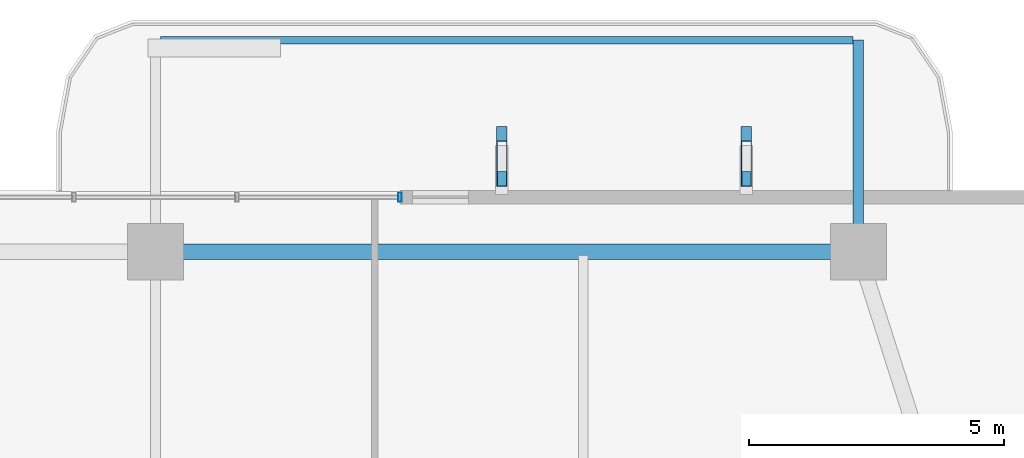
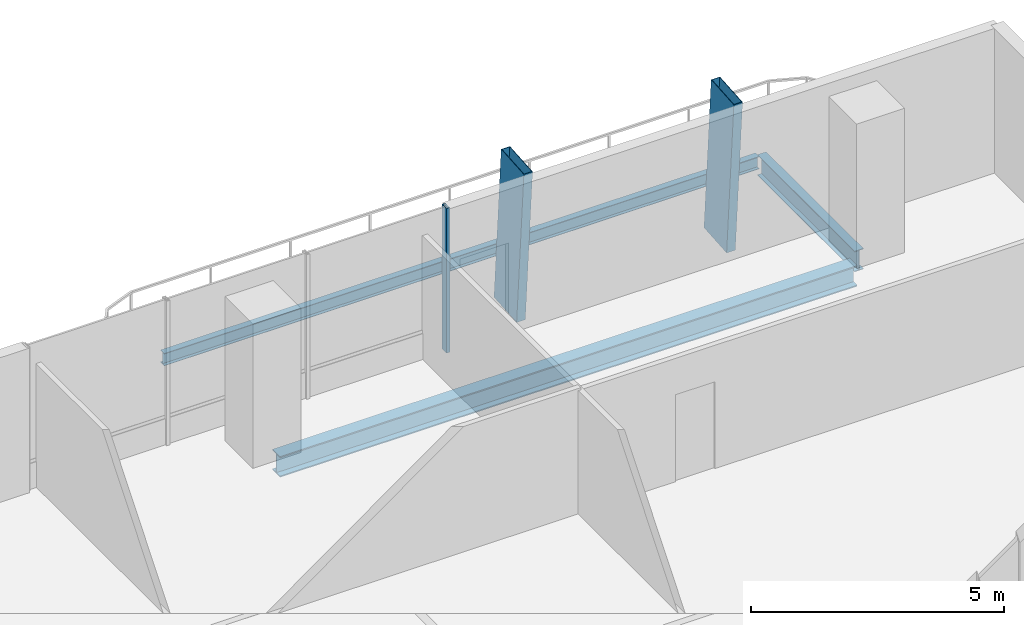
# One storey, part 17 of 25: 3 beams, 3 members, 1 element without a shape of its own.
"""IFC4 building model written with IfcOpenShell, lengths in metres."""

from ifc_helpers import new_model, si_unit, direction, frame, origin, origin_2d, place, context, subcontext, project, spatial, hollow_rectangle, i_section, extrude, material, layer, layer_set, material_profile, profile_set, type_object, element, aggregate, save


model = new_model("IFC4")

# Units and contexts
model_context = context("Model", 3, precision=1e-05, world=origin(), true_north=direction((0.0, 1.0)))
body_context = subcontext(model_context, "Body", "Model", "MODEL_VIEW")
ifc_project = project(units=[si_unit("LENGTHUNIT", "METRE"), si_unit("AREAUNIT", "SQUARE_METRE"), si_unit("VOLUMEUNIT", "CUBIC_METRE"), si_unit("PLANEANGLEUNIT", "RADIAN"), si_unit("MASSUNIT", "GRAM", prefix="KILO")], contexts=[model_context])

# Site, building, storey
site_placement = place(None, origin())
site = spatial("IfcSite", under=ifc_project, at=site_placement, CompositionType="ELEMENT")
building_placement = place(site_placement, origin())
building = spatial("IfcBuilding", under=site, at=building_placement, Name="Belovzor Exchange Tower", CompositionType="ELEMENT")
storey_placement = place(building_placement, frame((0.0, 0.0, 183.300048828125)))
storey = spatial("IfcBuildingStorey", under=building, at=storey_placement, Name="L45", CompositionType="ELEMENT", Elevation=183.300048828125)

# Beams
ifc_material_1 = material(Name="Steel S355", Category="steel")
ifc_material_profile_1 = material_profile(ifc_material_1, i_section(OverallWidth=0.199951171875, OverallDepth=0.5, WebThickness=0.01025390625, FlangeThickness=0.01611328125, at=origin_2d()))
ifc_profile_set_1 = profile_set([ifc_material_profile_1], Name="Steel S355")
beam_type_1 = type_object("IfcBeamType", Name="Planted Balcony Cantilever Beam IPE 500", PredefinedType="BEAM", material=ifc_profile_set_1)
beam_1_placement = place(storey_placement, frame((42.60009765625, 52.202880859375, -0.505126953125), z_axis=(0.0, 1.0, 0.0), x_axis=(-1.0, 0.0, 0.0)))
element("IfcBeam", 1, at=beam_1_placement, inside=storey, type_object=beam_type_1, Name="BC-500 Planted Balcony Cantilever Beam IPE 500", PredefinedType="BEAM", context=body_context, shape_type="SweptSolid", body=[
    extrude(i_section(OverallWidth=0.199951171875, OverallDepth=0.5, WebThickness=0.01025390625, FlangeThickness=0.01611328125, at=origin_2d()), origin(), (0.0, 0.0, 1.0), 3.85009765625),
])
ifc_material_2 = material(Name="Steel S355", Category="steel")
ifc_material_profile_2 = material_profile(ifc_material_2, i_section(OverallWidth=0.14990234375, OverallDepth=0.300048828125, WebThickness=0.007080078125, FlangeThickness=0.0107421875, at=origin_2d()))
ifc_profile_set_2 = profile_set([ifc_material_profile_2], Name="Steel S355")
beam_type_2 = type_object("IfcBeamType", Name="Planted Balcony Fascia Edge Beam IPE 300", PredefinedType="BEAM", material=ifc_profile_set_2)
beam_2_placement = place(storey_placement, frame((42.5, 56.052978515625, -0.405029296875), z_axis=(-1.0, 0.0, 0.0), x_axis=(0.0, -1.0, 0.0)))
element("IfcBeam", 2, at=beam_2_placement, inside=storey, type_object=beam_type_2, Name="BC-300 Planted Balcony Fascia Edge Beam IPE 300", PredefinedType="BEAM", context=body_context, shape_type="SweptSolid", body=[
    extrude(i_section(OverallWidth=0.14990234375, OverallDepth=0.300048828125, WebThickness=0.007080078125, FlangeThickness=0.0107421875, at=origin_2d()), origin(), (0.0, 0.0, 1.0), 13.60009765625),
])

# Members
ifc_material_3 = material(Name="Extruded Architectural Terracotta on Steel S355 Carrier", Category="masonry")
ifc_material_profile_3 = material_profile(ifc_material_3, hollow_rectangle(XDim=0.199951171875, YDim=0.89990234375, WallThickness=0.011962890625, at=origin_2d()))
ifc_profile_set_3 = profile_set([ifc_material_profile_3], Name="Extruded Architectural Terracotta on Steel S355 Carrier")
member_type_1 = type_object("IfcMemberType", Name="Sweeping Terracotta Baguette Fin Assembly 1250", PredefinedType="USERDEFINED", material=ifc_profile_set_3)
for number, where, z_axis, x_axis, name in (
    (3, (35.60009765625, 53.910888671875, -0.255126953125), (0.0, -0.076016392655, 0.99710656805), (1.0, 0.0, 0.0), "FIN-TC125 Terracotta Facade Fin L45 N3"),
    (4, (40.39990234375, 53.910888671875, -0.255126953125), (0.0, -0.076016392655, 0.99710656805), (1.0, 0.0, 0.0), "FIN-TC125 Terracotta Facade Fin L45 N4"),
):
    element("IfcMember", number, at=place(storey_placement, frame(where, z_axis=z_axis, x_axis=x_axis)), inside=storey, type_object=member_type_1, Name=name, ObjectType="FIN", PredefinedType="USERDEFINED", context=body_context, shape_type="SweptSolid", body=[
        extrude(hollow_rectangle(XDim=0.199951171875, YDim=0.89990234375, WallThickness=0.011962890625, at=origin_2d()), origin(), (0.0, 0.0, 1.0), 3.760986328125),
    ])

# Curtain wall, member
ifc_material_4 = material(Name="Anodised Aluminium Framing", Category="aluminium")
ifc_layer = layer(ifc_material_4, 0.179931640625)
ifc_layer_set = layer_set([ifc_layer], Name="Anodised Aluminium Framing")
curtain_wall_type = type_object("IfcCurtainWallType", Name="Recessed Loggia Low-Iron Triple-Glazed Curtain Wall", PredefinedType="NOTDEFINED", material=ifc_layer_set)
curtain_wall_placement = place(storey_placement, origin())
curtain_wall = element("IfcCurtainWall", 5, at=curtain_wall_placement, inside=storey, type_object=curtain_wall_type, Name="CW3 Recessed Loggia Low-Iron Triple-Glazed Curtain Wall L45", PredefinedType="NOTDEFINED")
ifc_material_5 = material(Name="Steel S355", Category="steel")
ifc_material_profile_4 = material_profile(ifc_material_5, hollow_rectangle(XDim=0.074951171875, YDim=0.179931640625, WallThickness=0.0048828125, at=origin_2d()))
ifc_profile_set_4 = profile_set([ifc_material_profile_4], Name="Steel S355")
member_type_2 = type_object("IfcMemberType", Name="Thermally Broken Curtain Wall Mullion 180x75", PredefinedType="MULLION", material=ifc_profile_set_4)
member_placement = place(storey_placement, frame((33.60009765625, 52.969970703125, 0.0), z_axis=(0.0, 0.0, 1.0), x_axis=(1.0, 0.0, 0.0)))
member = element("IfcMember", 6, at=member_placement, type_object=member_type_2, Name="CW-M180 Curtain Wall Mullion 4", PredefinedType="MULLION", context=body_context, shape_type="SweptSolid", body=[
    extrude(hollow_rectangle(XDim=0.074951171875, YDim=0.179931640625, WallThickness=0.0048828125, at=origin_2d()), origin(), (0.0, 0.0, 1.0), 3.494873046875),
])
aggregate(curtain_wall, [member])

# Beam
ifc_material_6 = material(Name="Steel S355", Category="steel")
ifc_material_profile_5 = material_profile(ifc_material_6, i_section(OverallWidth=0.300048828125, OverallDepth=0.5, WebThickness=0.014404296875, FlangeThickness=0.028076171875, at=origin_2d()))
ifc_profile_set_5 = profile_set([ifc_material_profile_5], Name="Steel S355")
beam_type_3 = type_object("IfcBeamType", Name="Zone 3 Waist Primary Girder HEB 500", PredefinedType="BEAM", material=ifc_profile_set_5)
beam_3_placement = place(storey_placement, frame((42.297119140625, 51.89990234375, -0.505126953125), z_axis=(-1.0, 0.0, 0.0), x_axis=(0.0, -1.0, 0.0)))
element("IfcBeam", 7, at=beam_3_placement, inside=storey, type_object=beam_type_3, Name="FG-Z3 Zone 3 Waist Primary Girder HEB 500", PredefinedType="BEAM", context=body_context, shape_type="SweptSolid", body=[
    extrude(i_section(OverallWidth=0.300048828125, OverallDepth=0.5, WebThickness=0.014404296875, FlangeThickness=0.028076171875, at=origin_2d()), origin(), (0.0, 0.0, 1.0), 13.195068359375),
])

save(model, "model.ifc")
